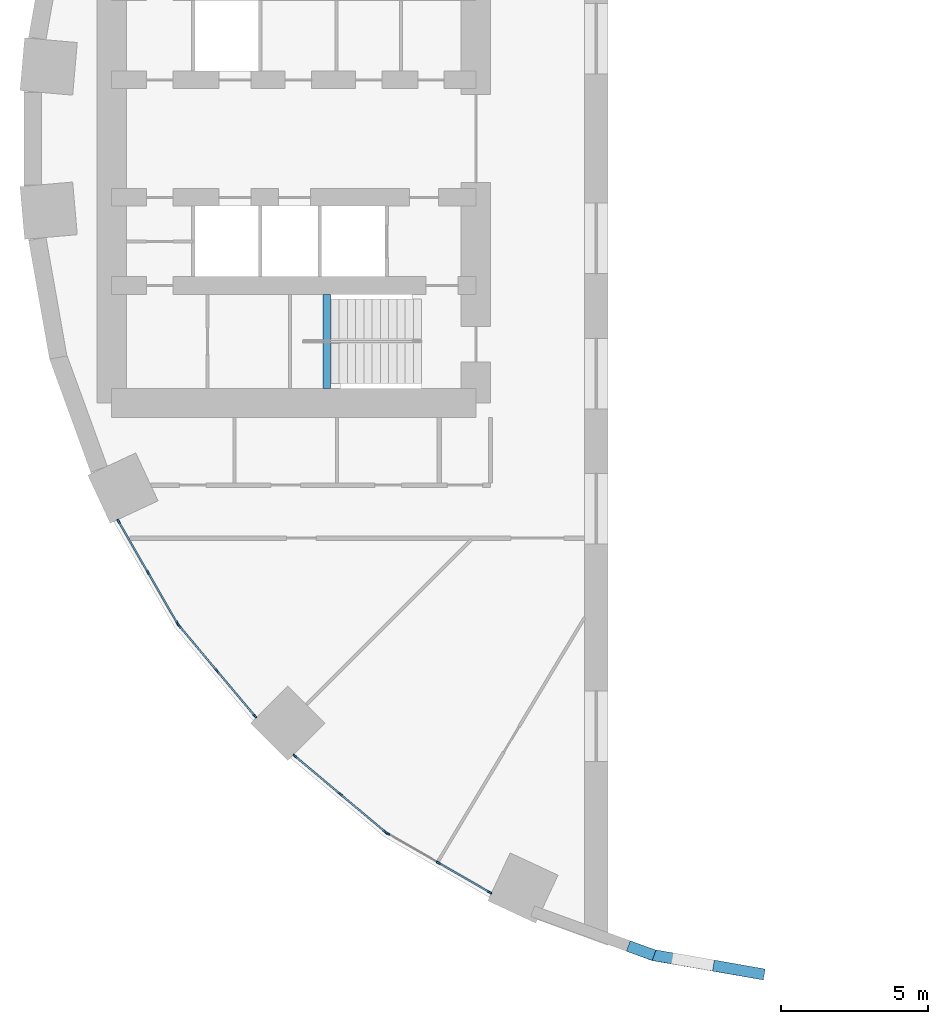
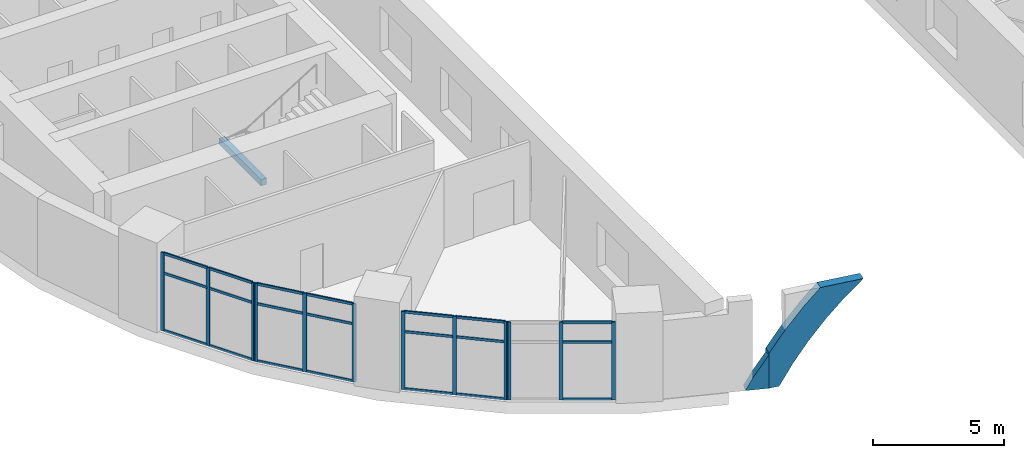
# One storey, part 2 of 13: 35 members, 1 beam, 4 elements without a shape of their own.
"""IFC4 building model written with IfcOpenShell, lengths in metres."""

from ifc_helpers import new_model, si_unit, direction, frame, origin, origin_2d, place, context, subcontext, project, spatial, polyline, rectangle, hollow_rectangle, outline, extrude, material, layer, layer_set, material_profile, profile_set, type_object, element, aggregate, save


model = new_model("IFC4")

# Units and contexts
model_context = context("Model", 3, precision=1e-05, world=origin(), true_north=direction((0.0, 1.0)))
body_context = subcontext(model_context, "Body", "Model", "MODEL_VIEW")
ifc_project = project(units=[si_unit("LENGTHUNIT", "METRE"), si_unit("AREAUNIT", "SQUARE_METRE"), si_unit("VOLUMEUNIT", "CUBIC_METRE"), si_unit("PLANEANGLEUNIT", "RADIAN"), si_unit("MASSUNIT", "GRAM", prefix="KILO")], contexts=[model_context])

# Site, building, storey
site_placement = place(None, origin())
site = spatial("IfcSite", under=ifc_project, at=site_placement, CompositionType="ELEMENT")
building_placement = place(site_placement, origin())
building = spatial("IfcBuilding", under=site, at=building_placement, Name="Saqina Gate Tower", CompositionType="ELEMENT")
storey_placement = place(building_placement, frame((0.0, 0.0, 13.39990234375)))
storey = spatial("IfcBuildingStorey", under=building, at=storey_placement, Name="L03", CompositionType="ELEMENT", Elevation=13.39990234375)

# Curtain wall, members
ifc_material_1 = material(Name="Aluminium glazing", Category="aluminium")
ifc_layer = layer(ifc_material_1, 0.159912109375)
ifc_layer_set = layer_set([ifc_layer], Name="CWT-1")
curtain_wall_type = type_object("IfcCurtainWallType", Name="CWT-1", PredefinedType="NOTDEFINED", material=ifc_layer_set)
curtain_wall_1_placement = place(storey_placement, origin())
curtain_wall_1 = element("IfcCurtainWall", 1, at=curtain_wall_1_placement, inside=storey, type_object=curtain_wall_type, Name="Podium shopfront facet 21", PredefinedType="NOTDEFINED")
ifc_material_2 = material(Name="Aluminium", Category="aluminium")
ifc_material_profile_1 = material_profile(ifc_material_2, rectangle(XDim=0.06005859375, YDim=0.159912109375, at=origin_2d()), Name="Aluminium 60x160")
ifc_profile_set_1 = profile_set([ifc_material_profile_1], Name="Aluminium")
member_type_1 = type_object("IfcMemberType", Name="CWT-1M", PredefinedType="MULLION", material=ifc_profile_set_1)
member_1_placement = place(storey_placement, frame((-25.66015625, -13.03466796875, 0.0), z_axis=(0.0, 0.0, 1.0), x_axis=(0.866017381415, 0.500013894893, 0.0)))
member_1 = element("IfcMember", 2, at=member_1_placement, type_object=member_type_1, Name="CW1-21 mullion 1", PredefinedType="MULLION", context=body_context, shape_type="SweptSolid", body=[
    extrude(rectangle(XDim=0.06005859375, YDim=0.159912109375, at=origin_2d()), origin(), (0.0, 0.0, 1.0), 3.650146484375),
])
member_2_placement = place(storey_placement, frame((-24.65771484375, -14.770751953125, 0.0), z_axis=(0.0, 0.0, 1.0), x_axis=(0.866017381415, 0.500013894893, 0.0)))
member_2 = element("IfcMember", 3, at=member_2_placement, type_object=member_type_1, Name="CW1-21 mullion 2", PredefinedType="MULLION", context=body_context, shape_type="SweptSolid", body=[
    extrude(rectangle(XDim=0.06005859375, YDim=0.159912109375, at=origin_2d()), origin(), (0.0, 0.0, 1.0), 3.650146484375),
])
member_3_placement = place(storey_placement, frame((-23.655517578125, -16.5068359375, 0.0), z_axis=(0.0, 0.0, 1.0), x_axis=(0.866017381415, 0.500013894893, 0.0)))
member_3 = element("IfcMember", 4, at=member_3_placement, type_object=member_type_1, Name="CW1-21 mullion 3", PredefinedType="MULLION", context=body_context, shape_type="SweptSolid", body=[
    extrude(rectangle(XDim=0.06005859375, YDim=0.159912109375, at=origin_2d()), origin(), (0.0, 0.0, 1.0), 3.650146484375),
])

curtain_wall_2_placement = place(storey_placement, origin())
curtain_wall_2 = element("IfcCurtainWall", 5, at=curtain_wall_2_placement, inside=storey, type_object=curtain_wall_type, Name="Podium shopfront facet 22", PredefinedType="NOTDEFINED")
member_4_placement = place(storey_placement, frame((-23.601806640625, -16.583251953125, 0.0), z_axis=(0.0, 0.0, 1.0), x_axis=(0.766051396473, 0.642779322911, 0.0)))
member_4 = element("IfcMember", 6, at=member_4_placement, type_object=member_type_1, Name="CW1-22 mullion 1", PredefinedType="MULLION", context=body_context, shape_type="SweptSolid", body=[
    extrude(rectangle(XDim=0.06005859375, YDim=0.159912109375, at=origin_2d()), origin(), (0.0, 0.0, 1.0), 3.650146484375),
])
member_5_placement = place(storey_placement, frame((-22.3134765625, -18.118896484375, 0.0), z_axis=(0.0, 0.0, 1.0), x_axis=(0.766051396473, 0.642779322911, 0.0)))
member_5 = element("IfcMember", 7, at=member_5_placement, type_object=member_type_1, Name="CW1-22 mullion 2", PredefinedType="MULLION", context=body_context, shape_type="SweptSolid", body=[
    extrude(rectangle(XDim=0.06005859375, YDim=0.159912109375, at=origin_2d()), origin(), (0.0, 0.0, 1.0), 3.650146484375),
])
member_6_placement = place(storey_placement, frame((-21.02490234375, -19.654296875, 0.0), z_axis=(0.0, 0.0, 1.0), x_axis=(0.766051396473, 0.642779322911, 0.0)))
member_6 = element("IfcMember", 8, at=member_6_placement, type_object=member_type_1, Name="CW1-22 mullion 3", PredefinedType="MULLION", context=body_context, shape_type="SweptSolid", body=[
    extrude(rectangle(XDim=0.06005859375, YDim=0.159912109375, at=origin_2d()), origin(), (0.0, 0.0, 1.0), 3.650146484375),
])

curtain_wall_3_placement = place(storey_placement, origin())
curtain_wall_3 = element("IfcCurtainWall", 9, at=curtain_wall_3_placement, inside=storey, type_object=curtain_wall_type, Name="Podium shopfront facet 23", PredefinedType="NOTDEFINED")
member_7_placement = place(storey_placement, frame((-19.654296875, -21.02490234375, 0.0), z_axis=(0.0, 0.0, 1.0), x_axis=(0.642779322911, 0.766051396473, 0.0)))
member_7 = element("IfcMember", 10, at=member_7_placement, type_object=member_type_1, Name="CW1-23 mullion 1", PredefinedType="MULLION", context=body_context, shape_type="SweptSolid", body=[
    extrude(rectangle(XDim=0.06005859375, YDim=0.159912109375, at=origin_2d()), origin(), (0.0, 0.0, 1.0), 3.650146484375),
])
member_8_placement = place(storey_placement, frame((-18.118896484375, -22.3134765625, 0.0), z_axis=(0.0, 0.0, 1.0), x_axis=(0.642779322911, 0.766051396473, 0.0)))
member_8 = element("IfcMember", 11, at=member_8_placement, type_object=member_type_1, Name="CW1-23 mullion 2", PredefinedType="MULLION", context=body_context, shape_type="SweptSolid", body=[
    extrude(rectangle(XDim=0.06005859375, YDim=0.159912109375, at=origin_2d()), origin(), (0.0, 0.0, 1.0), 3.650146484375),
])
member_9_placement = place(storey_placement, frame((-16.583251953125, -23.601806640625, 0.0), z_axis=(0.0, 0.0, 1.0), x_axis=(0.642779322911, 0.766051396473, 0.0)))
member_9 = element("IfcMember", 12, at=member_9_placement, type_object=member_type_1, Name="CW1-23 mullion 3", PredefinedType="MULLION", context=body_context, shape_type="SweptSolid", body=[
    extrude(rectangle(XDim=0.06005859375, YDim=0.159912109375, at=origin_2d()), origin(), (0.0, 0.0, 1.0), 3.650146484375),
])

curtain_wall_4_placement = place(storey_placement, origin())
curtain_wall_4 = element("IfcCurtainWall", 13, at=curtain_wall_4_placement, inside=storey, type_object=curtain_wall_type, Name="Podium shopfront facet 24", PredefinedType="NOTDEFINED")
member_10_placement = place(storey_placement, frame((-16.5068359375, -23.655517578125, 0.0), z_axis=(0.0, 0.0, 1.0), x_axis=(0.500013894893, 0.866017381415, 0.0)))
member_10 = element("IfcMember", 14, at=member_10_placement, type_object=member_type_1, Name="CW1-24 mullion 1", PredefinedType="MULLION", context=body_context, shape_type="SweptSolid", body=[
    extrude(rectangle(XDim=0.06005859375, YDim=0.159912109375, at=origin_2d()), origin(), (0.0, 0.0, 1.0), 3.650146484375),
])
member_11_placement = place(storey_placement, frame((-14.770751953125, -24.65771484375, 0.0), z_axis=(0.0, 0.0, 1.0), x_axis=(0.500013894893, 0.866017381415, 0.0)))
member_11 = element("IfcMember", 15, at=member_11_placement, type_object=member_type_1, Name="CW1-24 mullion 2", PredefinedType="MULLION", context=body_context, shape_type="SweptSolid", body=[
    extrude(rectangle(XDim=0.06005859375, YDim=0.159912109375, at=origin_2d()), origin(), (0.0, 0.0, 1.0), 3.650146484375),
])
member_12_placement = place(storey_placement, frame((-13.03466796875, -25.66015625, 0.0), z_axis=(0.0, 0.0, 1.0), x_axis=(0.500013894893, 0.866017381415, 0.0)))
member_12 = element("IfcMember", 16, at=member_12_placement, type_object=member_type_1, Name="CW1-24 mullion 3", PredefinedType="MULLION", context=body_context, shape_type="SweptSolid", body=[
    extrude(rectangle(XDim=0.06005859375, YDim=0.159912109375, at=origin_2d()), origin(), (0.0, 0.0, 1.0), 3.650146484375),
])

# Member
ifc_material_3 = material(Name="Aluminium", Category="aluminium")
ifc_material_profile_2 = material_profile(ifc_material_3, rectangle(XDim=0.06005859375, YDim=0.1201171875, at=origin_2d()), Name="Aluminium 60x120")
ifc_profile_set_2 = profile_set([ifc_material_profile_2], Name="Aluminium")
member_type_2 = type_object("IfcMemberType", Name="CWT-1T", PredefinedType="USERDEFINED", material=ifc_profile_set_2)
member_13_placement = place(storey_placement, frame((-25.64501953125, -13.060791015625, 0.030029296875), z_axis=(0.499947064232, -0.866055964107, 0.0), x_axis=(0.866055964107, 0.499947064232, 0.0)))
member_13 = element("IfcMember", 17, at=member_13_placement, type_object=member_type_2, Name="CW1-21 transom 1.1", ObjectType="TRANSOM", PredefinedType="USERDEFINED", context=body_context, shape_type="SweptSolid", body=[
    extrude(rectangle(XDim=0.06005859375, YDim=0.1201171875, at=origin_2d()), origin(), (0.0, 0.0, 1.0), 1.944580078125),
])

member_14_placement = place(storey_placement, frame((-25.64501953125, -13.060791015625, 2.7001953125), z_axis=(0.499947064232, -0.866055964107, 0.0), x_axis=(0.866055964107, 0.499947064232, 0.0)))
member_14 = element("IfcMember", 18, at=member_14_placement, type_object=member_type_2, Name="CW1-21 transom 1.2", ObjectType="TRANSOM", PredefinedType="USERDEFINED", context=body_context, shape_type="SweptSolid", body=[
    extrude(rectangle(XDim=0.06005859375, YDim=0.1201171875, at=origin_2d()), origin(), (0.0, 0.0, 1.0), 1.944580078125),
])

member_15_placement = place(storey_placement, frame((-25.64501953125, -13.060791015625, 3.6201171875), z_axis=(0.499947064232, -0.866055964107, 0.0), x_axis=(0.866055964107, 0.499947064232, 0.0)))
member_15 = element("IfcMember", 19, at=member_15_placement, type_object=member_type_2, Name="CW1-21 transom 1.3", ObjectType="TRANSOM", PredefinedType="USERDEFINED", context=body_context, shape_type="SweptSolid", body=[
    extrude(rectangle(XDim=0.06005859375, YDim=0.1201171875, at=origin_2d()), origin(), (0.0, 0.0, 1.0), 1.944580078125),
])

member_16_placement = place(storey_placement, frame((-24.642822265625, -14.796630859375, 0.030029296875), z_axis=(0.500041225824, -0.866001600736, 0.0), x_axis=(0.866001600736, 0.500041225824, 0.0)))
member_16 = element("IfcMember", 20, at=member_16_placement, type_object=member_type_2, Name="CW1-21 transom 2.1", ObjectType="TRANSOM", PredefinedType="USERDEFINED", context=body_context, shape_type="SweptSolid", body=[
    extrude(rectangle(XDim=0.06005859375, YDim=0.1201171875, at=origin_2d()), origin(), (0.0, 0.0, 1.0), 1.944580078125),
])

member_17_placement = place(storey_placement, frame((-24.642822265625, -14.796630859375, 2.7001953125), z_axis=(0.500041225824, -0.866001600736, 0.0), x_axis=(0.866001600736, 0.500041225824, 0.0)))
member_17 = element("IfcMember", 21, at=member_17_placement, type_object=member_type_2, Name="CW1-21 transom 2.2", ObjectType="TRANSOM", PredefinedType="USERDEFINED", context=body_context, shape_type="SweptSolid", body=[
    extrude(rectangle(XDim=0.06005859375, YDim=0.1201171875, at=origin_2d()), origin(), (0.0, 0.0, 1.0), 1.944580078125),
])

member_18_placement = place(storey_placement, frame((-24.642822265625, -14.796630859375, 3.6201171875), z_axis=(0.500041225824, -0.866001600736, 0.0), x_axis=(0.866001600736, 0.500041225824, 0.0)))
member_18 = element("IfcMember", 22, at=member_18_placement, type_object=member_type_2, Name="CW1-21 transom 2.3", ObjectType="TRANSOM", PredefinedType="USERDEFINED", context=body_context, shape_type="SweptSolid", body=[
    extrude(rectangle(XDim=0.06005859375, YDim=0.1201171875, at=origin_2d()), origin(), (0.0, 0.0, 1.0), 1.944580078125),
])

aggregate(curtain_wall_1, [member_1, member_2, member_3, member_13, member_14, member_15, member_16, member_17, member_18])

member_19_placement = place(storey_placement, frame((-23.58251953125, -16.606201171875, 0.030029296875), z_axis=(0.642700228444, -0.766117756196, 0.0), x_axis=(0.766117756196, 0.642700228444, 0.0)))
member_19 = element("IfcMember", 23, at=member_19_placement, type_object=member_type_2, Name="CW1-22 transom 1.1", ObjectType="TRANSOM", PredefinedType="USERDEFINED", context=body_context, shape_type="SweptSolid", body=[
    extrude(rectangle(XDim=0.06005859375, YDim=0.1201171875, at=origin_2d()), origin(), (0.0, 0.0, 1.0), 1.944580078125),
])

member_20_placement = place(storey_placement, frame((-23.58251953125, -16.606201171875, 2.7001953125), z_axis=(0.642700228444, -0.766117756196, 0.0), x_axis=(0.766117756196, 0.642700228444, 0.0)))
member_20 = element("IfcMember", 24, at=member_20_placement, type_object=member_type_2, Name="CW1-22 transom 1.2", ObjectType="TRANSOM", PredefinedType="USERDEFINED", context=body_context, shape_type="SweptSolid", body=[
    extrude(rectangle(XDim=0.06005859375, YDim=0.1201171875, at=origin_2d()), origin(), (0.0, 0.0, 1.0), 1.944580078125),
])

member_21_placement = place(storey_placement, frame((-23.58251953125, -16.606201171875, 3.6201171875), z_axis=(0.642700228444, -0.766117756196, 0.0), x_axis=(0.766117756196, 0.642700228444, 0.0)))
member_21 = element("IfcMember", 25, at=member_21_placement, type_object=member_type_2, Name="CW1-22 transom 1.3", ObjectType="TRANSOM", PredefinedType="USERDEFINED", context=body_context, shape_type="SweptSolid", body=[
    extrude(rectangle(XDim=0.06005859375, YDim=0.1201171875, at=origin_2d()), origin(), (0.0, 0.0, 1.0), 1.944580078125),
])

member_22_placement = place(storey_placement, frame((-22.294189453125, -18.141845703125, 0.030029296875), z_axis=(0.642835731235, -0.76600406177, 0.0), x_axis=(0.76600406177, 0.642835731235, 0.0)))
member_22 = element("IfcMember", 26, at=member_22_placement, type_object=member_type_2, Name="CW1-22 transom 2.1", ObjectType="TRANSOM", PredefinedType="USERDEFINED", context=body_context, shape_type="SweptSolid", body=[
    extrude(rectangle(XDim=0.06005859375, YDim=0.1201171875, at=origin_2d()), origin(), (0.0, 0.0, 1.0), 1.944580078125),
])

member_23_placement = place(storey_placement, frame((-22.294189453125, -18.141845703125, 2.7001953125), z_axis=(0.642835731235, -0.76600406177, 0.0), x_axis=(0.76600406177, 0.642835731235, 0.0)))
member_23 = element("IfcMember", 27, at=member_23_placement, type_object=member_type_2, Name="CW1-22 transom 2.2", ObjectType="TRANSOM", PredefinedType="USERDEFINED", context=body_context, shape_type="SweptSolid", body=[
    extrude(rectangle(XDim=0.06005859375, YDim=0.1201171875, at=origin_2d()), origin(), (0.0, 0.0, 1.0), 1.944580078125),
])

member_24_placement = place(storey_placement, frame((-22.294189453125, -18.141845703125, 3.6201171875), z_axis=(0.642835731235, -0.76600406177, 0.0), x_axis=(0.76600406177, 0.642835731235, 0.0)))
member_24 = element("IfcMember", 28, at=member_24_placement, type_object=member_type_2, Name="CW1-22 transom 2.3", ObjectType="TRANSOM", PredefinedType="USERDEFINED", context=body_context, shape_type="SweptSolid", body=[
    extrude(rectangle(XDim=0.06005859375, YDim=0.1201171875, at=origin_2d()), origin(), (0.0, 0.0, 1.0), 1.944580078125),
])

aggregate(curtain_wall_2, [member_4, member_5, member_6, member_19, member_20, member_21, member_22, member_23, member_24])

member_25_placement = place(storey_placement, frame((-19.63134765625, -21.044189453125, 0.030029296875), z_axis=(0.76600406177, -0.642835731235, 0.0), x_axis=(0.642835731235, 0.76600406177, 0.0)))
member_25 = element("IfcMember", 29, at=member_25_placement, type_object=member_type_2, Name="CW1-23 transom 1.1", ObjectType="TRANSOM", PredefinedType="USERDEFINED", context=body_context, shape_type="SweptSolid", body=[
    extrude(rectangle(XDim=0.06005859375, YDim=0.1201171875, at=origin_2d()), origin(), (0.0, 0.0, 1.0), 1.944580078125),
])

member_26_placement = place(storey_placement, frame((-19.63134765625, -21.044189453125, 2.7001953125), z_axis=(0.76600406177, -0.642835731235, 0.0), x_axis=(0.642835731235, 0.76600406177, 0.0)))
member_26 = element("IfcMember", 30, at=member_26_placement, type_object=member_type_2, Name="CW1-23 transom 1.2", ObjectType="TRANSOM", PredefinedType="USERDEFINED", context=body_context, shape_type="SweptSolid", body=[
    extrude(rectangle(XDim=0.06005859375, YDim=0.1201171875, at=origin_2d()), origin(), (0.0, 0.0, 1.0), 1.944580078125),
])

member_27_placement = place(storey_placement, frame((-19.63134765625, -21.044189453125, 3.6201171875), z_axis=(0.76600406177, -0.642835731235, 0.0), x_axis=(0.642835731235, 0.76600406177, 0.0)))
member_27 = element("IfcMember", 31, at=member_27_placement, type_object=member_type_2, Name="CW1-23 transom 1.3", ObjectType="TRANSOM", PredefinedType="USERDEFINED", context=body_context, shape_type="SweptSolid", body=[
    extrude(rectangle(XDim=0.06005859375, YDim=0.1201171875, at=origin_2d()), origin(), (0.0, 0.0, 1.0), 1.944580078125),
])

member_28_placement = place(storey_placement, frame((-18.095947265625, -22.332763671875, 0.030029296875), z_axis=(0.766117756196, -0.642700228444, 0.0), x_axis=(0.642700228444, 0.766117756196, 0.0)))
member_28 = element("IfcMember", 32, at=member_28_placement, type_object=member_type_2, Name="CW1-23 transom 2.1", ObjectType="TRANSOM", PredefinedType="USERDEFINED", context=body_context, shape_type="SweptSolid", body=[
    extrude(rectangle(XDim=0.06005859375, YDim=0.1201171875, at=origin_2d()), origin(), (0.0, 0.0, 1.0), 1.944580078125),
])

member_29_placement = place(storey_placement, frame((-18.095947265625, -22.332763671875, 2.7001953125), z_axis=(0.766117756196, -0.642700228444, 0.0), x_axis=(0.642700228444, 0.766117756196, 0.0)))
member_29 = element("IfcMember", 33, at=member_29_placement, type_object=member_type_2, Name="CW1-23 transom 2.2", ObjectType="TRANSOM", PredefinedType="USERDEFINED", context=body_context, shape_type="SweptSolid", body=[
    extrude(rectangle(XDim=0.06005859375, YDim=0.1201171875, at=origin_2d()), origin(), (0.0, 0.0, 1.0), 1.944580078125),
])

member_30_placement = place(storey_placement, frame((-18.095947265625, -22.332763671875, 3.6201171875), z_axis=(0.766117756196, -0.642700228444, 0.0), x_axis=(0.642700228444, 0.766117756196, 0.0)))
member_30 = element("IfcMember", 34, at=member_30_placement, type_object=member_type_2, Name="CW1-23 transom 2.3", ObjectType="TRANSOM", PredefinedType="USERDEFINED", context=body_context, shape_type="SweptSolid", body=[
    extrude(rectangle(XDim=0.06005859375, YDim=0.1201171875, at=origin_2d()), origin(), (0.0, 0.0, 1.0), 1.944580078125),
])

aggregate(curtain_wall_3, [member_7, member_8, member_9, member_25, member_26, member_27, member_28, member_29, member_30])

member_31_placement = place(storey_placement, frame((-14.744873046875, -24.6728515625, 0.030029296875), z_axis=(0.866055964107, -0.499947064232, 0.0), x_axis=(0.499947064232, 0.866055964107, 0.0)))
member_31 = element("IfcMember", 35, at=member_31_placement, type_object=member_type_2, Name="CW1-24 transom 2.1", ObjectType="TRANSOM", PredefinedType="USERDEFINED", context=body_context, shape_type="SweptSolid", body=[
    extrude(rectangle(XDim=0.06005859375, YDim=0.1201171875, at=origin_2d()), origin(), (0.0, 0.0, 1.0), 1.944580078125),
])

member_32_placement = place(storey_placement, frame((-14.744873046875, -24.6728515625, 2.7001953125), z_axis=(0.866055964107, -0.499947064232, 0.0), x_axis=(0.499947064232, 0.866055964107, 0.0)))
member_32 = element("IfcMember", 36, at=member_32_placement, type_object=member_type_2, Name="CW1-24 transom 2.2", ObjectType="TRANSOM", PredefinedType="USERDEFINED", context=body_context, shape_type="SweptSolid", body=[
    extrude(rectangle(XDim=0.06005859375, YDim=0.1201171875, at=origin_2d()), origin(), (0.0, 0.0, 1.0), 1.944580078125),
])

member_33_placement = place(storey_placement, frame((-14.744873046875, -24.6728515625, 3.6201171875), z_axis=(0.866055964107, -0.499947064232, 0.0), x_axis=(0.499947064232, 0.866055964107, 0.0)))
member_33 = element("IfcMember", 37, at=member_33_placement, type_object=member_type_2, Name="CW1-24 transom 2.3", ObjectType="TRANSOM", PredefinedType="USERDEFINED", context=body_context, shape_type="SweptSolid", body=[
    extrude(rectangle(XDim=0.06005859375, YDim=0.1201171875, at=origin_2d()), origin(), (0.0, 0.0, 1.0), 1.944580078125),
])

aggregate(curtain_wall_4, [member_10, member_11, member_12, member_31, member_32, member_33])

# Beam
ifc_material_4 = material(Name="Concrete C40/50", Category="concrete")
ifc_material_profile_3 = material_profile(ifc_material_4, rectangle(XDim=0.25, YDim=0.300048828125, at=origin_2d()), Name="STAIR LANDING BEAM")
ifc_profile_set_3 = profile_set([ifc_material_profile_3], Name="Concrete C40/50")
beam_type = type_object("IfcBeamType", Name="STAIR LANDING BEAM", PredefinedType="BEAM", material=ifc_profile_set_3)
beam_placement = place(storey_placement, frame((-18.580078125, -8.5, 1.7001953125), z_axis=(0.0, 1.0, 0.0), x_axis=(-1.0, 0.0, 0.0)))
element("IfcBeam", 38, at=beam_placement, inside=storey, type_object=beam_type, Name="EXIT STAIR 4 LANDING BEAM", PredefinedType="BEAM", context=body_context, shape_type="SweptSolid", body=[
    extrude(rectangle(XDim=0.25, YDim=0.300048828125, at=origin_2d()), origin(), (0.0, 0.0, 1.0), 3.199951171875),
])

# Members
ifc_material_5 = material(Name="Steel S355", Category="steel")
ifc_material_profile_4 = material_profile(ifc_material_5, hollow_rectangle(XDim=1.199951171875, YDim=0.3798828125, WallThickness=0.030029296875, at=origin_2d()), Name="BOX 1200x380x30")
ifc_profile_set_4 = profile_set([ifc_material_profile_4], Name="Steel S355")
member_type_3 = type_object("IfcMemberType", Name="STR-ARCH RIB-BOX 1200x380x30", PredefinedType="USERDEFINED", material=ifc_profile_set_4)
member_34_placement = place(storey_placement, frame((-8.37353515625, -27.66748046875, 0.0), z_axis=(-0.342017327314, -0.939691469449, 0.002022390052), x_axis=(0.442372190087, -0.159109652618, 0.882604647553)))
element("IfcMember", 39, at=member_34_placement, inside=storey, type_object=member_type_3, Name="ARCH RIB S L03 facet 25", ObjectType="ARCH RIB", PredefinedType="USERDEFINED", context=body_context, shape_type="SweptSolid", body=[
    extrude(outline(polyline([(0.0, 0.0), (0.6572345830808218, 0.0), (1.8231328750533389, -0.08615407552260268), (0.4387102594639212, -0.8236502044199412), (0.0, 0.0)])), origin(), (0.0, 0.0, -1.0), 0.3798828125),
])
member_35_placement = place(storey_placement, frame((-7.501220703125, -27.9853515625, 0.0), z_axis=(-0.173664389747, -0.984802845198, 0.002008935817), x_axis=(0.000451266265, 0.001960354686, 0.999997976682)))
element("IfcMember", 40, at=member_35_placement, inside=storey, type_object=member_type_3, Name="ARCH RIB S L03 facet 26", ObjectType="ARCH RIB", PredefinedType="USERDEFINED", context=body_context, shape_type="SweptSolid", body=[
    extrude(outline(polyline([(0.0, 0.0), (1.6362337104817004, -1.6263032587282567e-19), (2.5510972320630714, -0.6449106129689786), (3.4730527714589736, -1.3995960570264532), (4.200420785401297, -2.087194629482059), (4.2006032523655, -3.842881896343154), (3.484211855317769, -3.0613181760732235), (2.6799318282940265, -2.3011190257137044), (1.8243889341892443, -1.6008902170581938), (0.921976954937217, -0.9644497494295621), (4.251126061963239e-05, -0.40904892673041865), (0.0, 0.0)])), origin(), (0.0, 0.0, -1.0), 0.3798828125),
])

save(model, "model.ifc")
